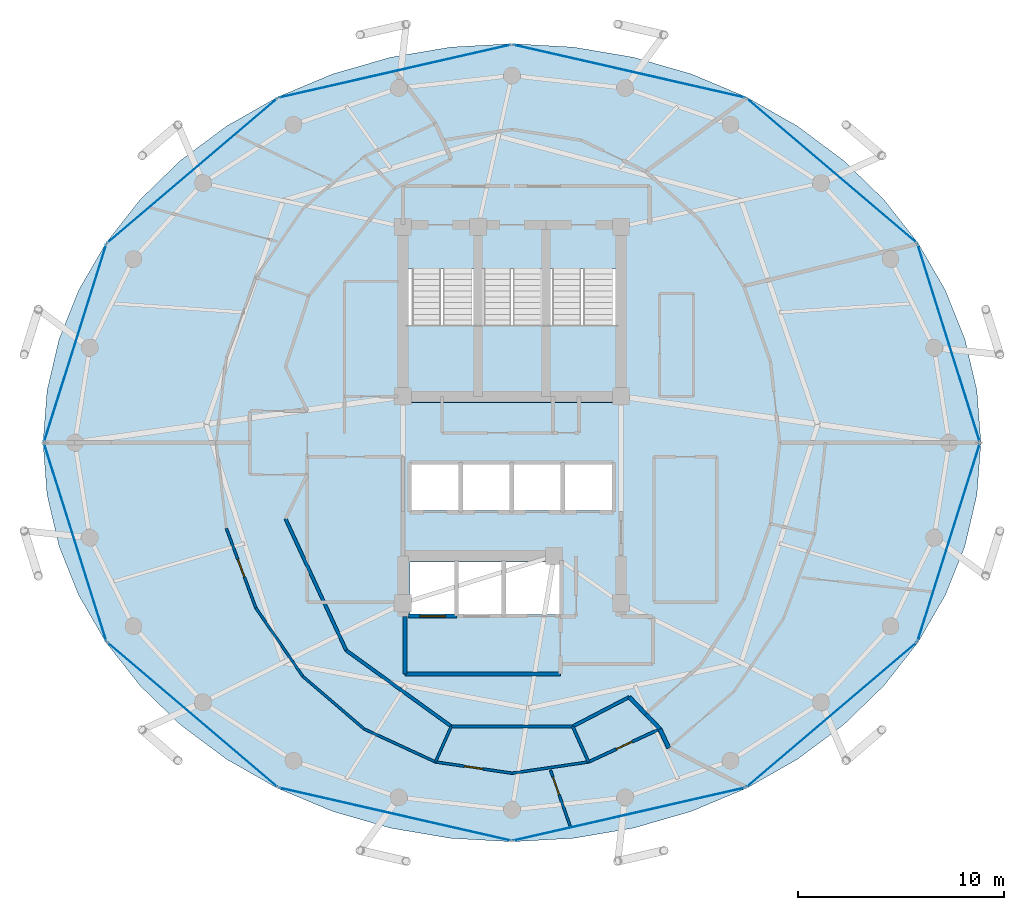
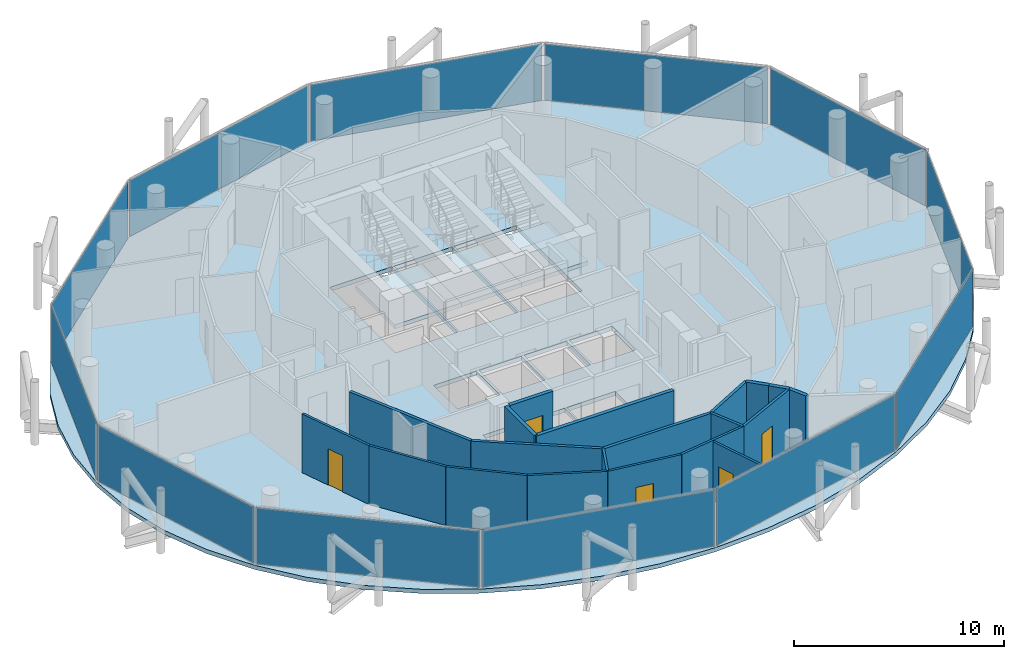
# One storey, part 22 of 28: 20 walls, 12 plates, 5 doors, 4 slabs, 5 openings, 15 elements without a shape of their own.
"""IFC4 building model written with IfcOpenShell, lengths in metres."""

from ifc_helpers import new_model, si_unit, direction, frame, frame_2d, origin, origin_2d, place, context, subcontext, project, spatial, polyline, rectangle, outline, extrude, material, layer, layer_set, type_object, element, fill, aggregate, save


model = new_model("IFC4")

# Units and contexts
model_context = context("Model", 3, precision=1e-05, world=origin(), true_north=direction((0.0, 1.0)))
body_context = subcontext(model_context, "Body", "Model", "MODEL_VIEW")
ifc_project = project(units=[si_unit("LENGTHUNIT", "METRE"), si_unit("AREAUNIT", "SQUARE_METRE"), si_unit("VOLUMEUNIT", "CUBIC_METRE"), si_unit("PLANEANGLEUNIT", "RADIAN"), si_unit("MASSUNIT", "GRAM", prefix="KILO")], contexts=[model_context])

# Site, building, storey
site_placement = place(None, origin())
site = spatial("IfcSite", under=ifc_project, at=site_placement, CompositionType="ELEMENT")
building_placement = place(site_placement, origin())
building = spatial("IfcBuilding", under=site, at=building_placement, Name="Nuhasar Tower", CompositionType="ELEMENT")
storey_placement = place(building_placement, frame((0.0, 0.0, 222.75)))
storey = spatial("IfcBuildingStorey", under=building, at=storey_placement, Name="L54", CompositionType="ELEMENT", Elevation=222.75)

# Curtain wall, plate
ifc_material_1 = material(Name="Aluminium 6063-T6", Category="aluminium")
ifc_layer_1 = layer(ifc_material_1, 0.18994140625)
ifc_layer_set_1 = layer_set([ifc_layer_1], Name="Aluminium 6063-T6")
curtain_wall_type = type_object("IfcCurtainWallType", Name="CW-Z3-RES", PredefinedType="NOTDEFINED", material=ifc_layer_set_1)
curtain_wall_1_placement = place(storey_placement, origin())
curtain_wall_1 = element("IfcCurtainWall", 1, at=curtain_wall_1_placement, inside=storey, type_object=curtain_wall_type, Name="L54 Unitised Curtain Wall 01", PredefinedType="NOTDEFINED")
ifc_material_2 = material(Name="Glass Double Low-E", Category="glass")
ifc_layer_2 = layer(ifc_material_2, 0.028076171875)
ifc_layer_set_2 = layer_set([ifc_layer_2], Name="Glass Double Low-E")
plate_type = type_object("IfcPlateType", Name="CW-PANEL-GLZ", PredefinedType="CURTAIN_PANEL", material=ifc_layer_set_2)
plate_1_placement = place(storey_placement, frame((60.235595703125, 31.639892578125, 0.06494140625), z_axis=(0.0, 0.0, 1.0), x_axis=(-0.30042864553, 0.95380429279, 0.0)))
plate_1 = element("IfcPlate", 2, at=plate_1_placement, type_object=plate_type, Name="CW-Z3 panel 1.1", PredefinedType="CURTAIN_PANEL", context=body_context, shape_type="SweptSolid", body=[
    extrude(rectangle(XDim=10.018798828125, YDim=0.028076171875, at=origin_2d()), origin(), (0.0, 0.0, 1.0), 3.280029296875),
])
aggregate(curtain_wall_1, [plate_1])

curtain_wall_2_placement = place(storey_placement, origin())
curtain_wall_2 = element("IfcCurtainWall", 3, at=curtain_wall_2_placement, inside=storey, type_object=curtain_wall_type, Name="L54 Unitised Curtain Wall 02", PredefinedType="NOTDEFINED")
plate_2_placement = place(storey_placement, frame((54.54541015625, 40.02294921875, 0.06494140625), z_axis=(0.0, 0.0, 1.0), x_axis=(-0.761729472562, 0.64789521578, 0.0)))
plate_2 = element("IfcPlate", 4, at=plate_2_placement, type_object=plate_type, Name="CW-Z3 panel 1.1", PredefinedType="CURTAIN_PANEL", context=body_context, shape_type="SweptSolid", body=[
    extrude(rectangle(XDim=10.806884765625, YDim=0.028076171875, at=origin_2d()), origin(), (0.0, 0.0, 1.0), 3.280029296875),
])
aggregate(curtain_wall_2, [plate_2])

curtain_wall_3_placement = place(storey_placement, origin())
curtain_wall_3 = element("IfcCurtainWall", 5, at=curtain_wall_3_placement, inside=storey, type_object=curtain_wall_type, Name="L54 Unitised Curtain Wall 03", PredefinedType="NOTDEFINED")
plate_3_placement = place(storey_placement, frame((44.68994140625, 44.863037109375, 0.06494140625), z_axis=(0.0, 0.0, 1.0), x_axis=(-0.974991266926, 0.222243176313, 0.0)))
plate_3 = element("IfcPlate", 6, at=plate_3_placement, type_object=plate_type, Name="CW-Z3 panel 1.1", PredefinedType="CURTAIN_PANEL", context=body_context, shape_type="SweptSolid", body=[
    extrude(rectangle(XDim=11.5419921875, YDim=0.028076171875, at=origin_2d()), origin(), (0.0, 0.0, 1.0), 3.280029296875),
])
aggregate(curtain_wall_3, [plate_3])

curtain_wall_4_placement = place(storey_placement, origin())
curtain_wall_4 = element("IfcCurtainWall", 7, at=curtain_wall_4_placement, inside=storey, type_object=curtain_wall_type, Name="L54 Unitised Curtain Wall 04", PredefinedType="NOTDEFINED")
plate_4_placement = place(storey_placement, frame((33.31005859375, 44.863037109375, 0.06494140625), z_axis=(0.0, 0.0, 1.0), x_axis=(-0.974991266926, -0.222243176313, 0.0)))
plate_4 = element("IfcPlate", 8, at=plate_4_placement, type_object=plate_type, Name="CW-Z3 panel 1.1", PredefinedType="CURTAIN_PANEL", context=body_context, shape_type="SweptSolid", body=[
    extrude(rectangle(XDim=11.5419921875, YDim=0.028076171875, at=origin_2d()), origin(), (0.0, 0.0, 1.0), 3.280029296875),
])
aggregate(curtain_wall_4, [plate_4])

curtain_wall_5_placement = place(storey_placement, origin())
curtain_wall_5 = element("IfcCurtainWall", 9, at=curtain_wall_5_placement, inside=storey, type_object=curtain_wall_type, Name="L54 Unitised Curtain Wall 05", PredefinedType="NOTDEFINED")
plate_5_placement = place(storey_placement, frame((23.45458984375, 40.02294921875, 0.06494140625), z_axis=(0.0, 0.0, 1.0), x_axis=(-0.761729472562, -0.64789521578, 0.0)))
plate_5 = element("IfcPlate", 10, at=plate_5_placement, type_object=plate_type, Name="CW-Z3 panel 1.1", PredefinedType="CURTAIN_PANEL", context=body_context, shape_type="SweptSolid", body=[
    extrude(rectangle(XDim=10.806884765625, YDim=0.028076171875, at=origin_2d()), origin(), (0.0, 0.0, 1.0), 3.280029296875),
])
aggregate(curtain_wall_5, [plate_5])

curtain_wall_6_placement = place(storey_placement, origin())
curtain_wall_6 = element("IfcCurtainWall", 11, at=curtain_wall_6_placement, inside=storey, type_object=curtain_wall_type, Name="L54 Unitised Curtain Wall 06", PredefinedType="NOTDEFINED")
plate_6_placement = place(storey_placement, frame((17.764404296875, 31.639892578125, 0.06494140625), z_axis=(0.0, 0.0, 1.0), x_axis=(-0.30042864553, -0.95380429279, 0.0)))
plate_6 = element("IfcPlate", 12, at=plate_6_placement, type_object=plate_type, Name="CW-Z3 panel 1.1", PredefinedType="CURTAIN_PANEL", context=body_context, shape_type="SweptSolid", body=[
    extrude(rectangle(XDim=10.018798828125, YDim=0.028076171875, at=origin_2d()), origin(), (0.0, 0.0, 1.0), 3.280029296875),
])
aggregate(curtain_wall_6, [plate_6])

curtain_wall_7_placement = place(storey_placement, origin())
curtain_wall_7 = element("IfcCurtainWall", 13, at=curtain_wall_7_placement, inside=storey, type_object=curtain_wall_type, Name="L54 Unitised Curtain Wall 07", PredefinedType="NOTDEFINED")
plate_7_placement = place(storey_placement, frame((17.764404296875, 21.9599609375, 0.06494140625), z_axis=(0.0, 0.0, 1.0), x_axis=(0.30042864553, -0.95380429279, 0.0)))
plate_7 = element("IfcPlate", 14, at=plate_7_placement, type_object=plate_type, Name="CW-Z3 panel 1.1", PredefinedType="CURTAIN_PANEL", context=body_context, shape_type="SweptSolid", body=[
    extrude(rectangle(XDim=10.018798828125, YDim=0.028076171875, at=origin_2d()), origin(), (0.0, 0.0, 1.0), 3.280029296875),
])
aggregate(curtain_wall_7, [plate_7])

curtain_wall_8_placement = place(storey_placement, origin())
curtain_wall_8 = element("IfcCurtainWall", 15, at=curtain_wall_8_placement, inside=storey, type_object=curtain_wall_type, Name="L54 Unitised Curtain Wall 08", PredefinedType="NOTDEFINED")
plate_8_placement = place(storey_placement, frame((23.45458984375, 13.576904296875, 0.06494140625), z_axis=(0.0, 0.0, 1.0), x_axis=(0.761729472562, -0.64789521578, 0.0)))
plate_8 = element("IfcPlate", 16, at=plate_8_placement, type_object=plate_type, Name="CW-Z3 panel 1.1", PredefinedType="CURTAIN_PANEL", context=body_context, shape_type="SweptSolid", body=[
    extrude(rectangle(XDim=10.806884765625, YDim=0.028076171875, at=origin_2d()), origin(), (0.0, 0.0, 1.0), 3.280029296875),
])
aggregate(curtain_wall_8, [plate_8])

curtain_wall_9_placement = place(storey_placement, origin())
curtain_wall_9 = element("IfcCurtainWall", 17, at=curtain_wall_9_placement, inside=storey, type_object=curtain_wall_type, Name="L54 Unitised Curtain Wall 09", PredefinedType="NOTDEFINED")
plate_9_placement = place(storey_placement, frame((33.31005859375, 8.737060546875, 0.06494140625), z_axis=(0.0, 0.0, 1.0), x_axis=(0.974991266926, -0.222243176313, 0.0)))
plate_9 = element("IfcPlate", 18, at=plate_9_placement, type_object=plate_type, Name="CW-Z3 panel 1.1", PredefinedType="CURTAIN_PANEL", context=body_context, shape_type="SweptSolid", body=[
    extrude(rectangle(XDim=11.5419921875, YDim=0.028076171875, at=origin_2d()), origin(), (0.0, 0.0, 1.0), 3.280029296875),
])
aggregate(curtain_wall_9, [plate_9])

curtain_wall_10_placement = place(storey_placement, origin())
curtain_wall_10 = element("IfcCurtainWall", 19, at=curtain_wall_10_placement, inside=storey, type_object=curtain_wall_type, Name="L54 Unitised Curtain Wall 10", PredefinedType="NOTDEFINED")
plate_10_placement = place(storey_placement, frame((44.68994140625, 8.737060546875, 0.06494140625), z_axis=(0.0, 0.0, 1.0), x_axis=(0.974991266926, 0.222243176313, 0.0)))
plate_10 = element("IfcPlate", 20, at=plate_10_placement, type_object=plate_type, Name="CW-Z3 panel 1.1", PredefinedType="CURTAIN_PANEL", context=body_context, shape_type="SweptSolid", body=[
    extrude(rectangle(XDim=11.5419921875, YDim=0.028076171875, at=origin_2d()), origin(), (0.0, 0.0, 1.0), 3.280029296875),
])
aggregate(curtain_wall_10, [plate_10])

curtain_wall_11_placement = place(storey_placement, origin())
curtain_wall_11 = element("IfcCurtainWall", 21, at=curtain_wall_11_placement, inside=storey, type_object=curtain_wall_type, Name="L54 Unitised Curtain Wall 11", PredefinedType="NOTDEFINED")
plate_11_placement = place(storey_placement, frame((54.54541015625, 13.576904296875, 0.06494140625), z_axis=(0.0, 0.0, 1.0), x_axis=(0.761729472562, 0.64789521578, 0.0)))
plate_11 = element("IfcPlate", 22, at=plate_11_placement, type_object=plate_type, Name="CW-Z3 panel 1.1", PredefinedType="CURTAIN_PANEL", context=body_context, shape_type="SweptSolid", body=[
    extrude(rectangle(XDim=10.806884765625, YDim=0.028076171875, at=origin_2d()), origin(), (0.0, 0.0, 1.0), 3.280029296875),
])
aggregate(curtain_wall_11, [plate_11])

curtain_wall_12_placement = place(storey_placement, origin())
curtain_wall_12 = element("IfcCurtainWall", 23, at=curtain_wall_12_placement, inside=storey, type_object=curtain_wall_type, Name="L54 Unitised Curtain Wall 12", PredefinedType="NOTDEFINED")
plate_12_placement = place(storey_placement, frame((60.235595703125, 21.9599609375, 0.06494140625), z_axis=(0.0, 0.0, 1.0), x_axis=(0.30042864553, 0.95380429279, 0.0)))
plate_12 = element("IfcPlate", 24, at=plate_12_placement, type_object=plate_type, Name="CW-Z3 panel 1.1", PredefinedType="CURTAIN_PANEL", context=body_context, shape_type="SweptSolid", body=[
    extrude(rectangle(XDim=10.018798828125, YDim=0.028076171875, at=origin_2d()), origin(), (0.0, 0.0, 1.0), 3.280029296875),
])
aggregate(curtain_wall_12, [plate_12])

# Stair, slab
ifc_material_3 = material(Name="Concrete C45/55", Category="concrete")
stair_type_1 = type_object("IfcStairType", Name="STR-ST-01-2F-22R-1659", PredefinedType="HALF_TURN_STAIR", material=ifc_material_3)
stair_1_placement = place(storey_placement, origin())
stair_1 = element("IfcStair", 25, at=stair_1_placement, inside=storey, type_object=stair_type_1, Name="L54 Exit Stair ST-01", PredefinedType="HALF_TURN_STAIR")
ifc_layer_3 = layer(ifc_material_3, 0.239990234375)
ifc_layer_set_3 = layer_set([ifc_layer_3], Name="Concrete C45/55")
slab_type_1 = type_object("IfcSlabType", Name="SLB-STAIR-LND-240", PredefinedType="LANDING", material=ifc_layer_set_3)
slab_1_placement = place(storey_placement, frame((0.0, 0.0, 1.5849609375)))
slab_1 = element("IfcSlab", 26, at=slab_1_placement, type_object=slab_type_1, Name="ST-01 landing 1", PredefinedType="LANDING", context=body_context, shape_type="SweptSolid", body=[
    extrude(outline(polyline([(33.699951171875, 28.75), (37.35009765625, 28.75), (37.35009765625, 32.52001953125), (33.699951171875, 32.52001953125), (33.699951171875, 28.75)])), origin(), (0.0, 0.0, 1.0), 0.239990234375),
])
aggregate(stair_1, [slab_1])

stair_type_2 = type_object("IfcStairType", Name="STR-ST-03-2F-22R-1659", PredefinedType="HALF_TURN_STAIR", material=ifc_material_3)
stair_2_placement = place(storey_placement, origin())
stair_2 = element("IfcStair", 27, at=stair_2_placement, inside=storey, type_object=stair_type_2, Name="L54 Exit Stair ST-03", PredefinedType="HALF_TURN_STAIR")
slab_2_placement = place(storey_placement, frame((0.0, 0.0, 1.5849609375)))
slab_2 = element("IfcSlab", 28, at=slab_2_placement, type_object=slab_type_1, Name="ST-03 landing 1", PredefinedType="LANDING", context=body_context, shape_type="SweptSolid", body=[
    extrude(outline(polyline([(37.35009765625, 28.75), (40.64990234375, 28.75), (40.64990234375, 32.52001953125), (37.35009765625, 32.52001953125), (37.35009765625, 28.75)])), origin(), (0.0, 0.0, 1.0), 0.239990234375),
])
aggregate(stair_2, [slab_2])

stair_type_3 = type_object("IfcStairType", Name="STR-ST-02-2F-22R-1659", PredefinedType="HALF_TURN_STAIR", material=ifc_material_3)
stair_3_placement = place(storey_placement, origin())
stair_3 = element("IfcStair", 29, at=stair_3_placement, inside=storey, type_object=stair_type_3, Name="L54 Exit Stair ST-02", PredefinedType="HALF_TURN_STAIR")
slab_3_placement = place(storey_placement, frame((0.0, 0.0, 1.5849609375)))
slab_3 = element("IfcSlab", 30, at=slab_3_placement, type_object=slab_type_1, Name="ST-02 landing 1", PredefinedType="LANDING", context=body_context, shape_type="SweptSolid", body=[
    extrude(outline(polyline([(40.64990234375, 28.75), (44.300048828125, 28.75), (44.300048828125, 32.52001953125), (40.64990234375, 32.52001953125), (40.64990234375, 28.75)])), origin(), (0.0, 0.0, 1.0), 0.239990234375),
])
aggregate(stair_3, [slab_3])

# Slab
ifc_layer_4 = layer(ifc_material_3, 0.239990234375)
ifc_layer_set_4 = layer_set([ifc_layer_4], Name="Concrete C45/55")
slab_type_2 = type_object("IfcSlabType", Name="SLB-Z3-240", PredefinedType="FLOOR", material=ifc_layer_set_4)
slab_4_placement = place(storey_placement, frame((0.0, 0.0, -0.239990234375)))
element("IfcSlab", 31, at=slab_4_placement, inside=storey, type_object=slab_type_2, Name="L54 Structural Slab", PredefinedType="FLOOR", context=body_context, shape_type="SweptSolid", body=[
    extrude(outline(polyline([(61.800048828125, 26.800048828125), (61.60498046875, 29.33203125), (61.02294921875, 31.821044921875), (60.06396484375, 34.22412109375), (58.7451171875, 36.5), (57.087890625, 38.610107421875), (55.1220703125, 40.51806640625), (52.8798828125, 42.19091796875), (50.39990234375, 43.60107421875), (47.72509765625, 44.722900390625), (44.90087890625, 45.5390625), (41.97607421875, 46.033935546875), (39.0, 46.199951171875), (36.02392578125, 46.033935546875), (33.09912109375, 45.5390625), (30.27490234375, 44.722900390625), (27.60009765625, 43.60107421875), (25.1201171875, 42.19091796875), (22.8779296875, 40.51806640625), (20.912109375, 38.610107421875), (19.2548828125, 36.5), (17.93603515625, 34.22412109375), (16.97705078125, 31.821044921875), (16.39501953125, 29.33203125), (16.199951171875, 26.800048828125), (16.39501953125, 24.26806640625), (16.97705078125, 21.779052734375), (17.93603515625, 19.3759765625), (19.2548828125, 17.10009765625), (20.912109375, 14.989990234375), (22.8779296875, 13.08203125), (25.1201171875, 11.408935546875), (27.60009765625, 9.9990234375), (30.27490234375, 8.876953125), (33.09912109375, 8.06103515625), (36.02392578125, 7.56591796875), (39.0, 7.39990234375), (41.97607421875, 7.56591796875), (44.90087890625, 8.06103515625), (47.72509765625, 8.876953125), (50.39990234375, 9.9990234375), (52.8798828125, 11.408935546875), (55.1220703125, 13.08203125), (57.087890625, 14.989990234375), (58.7451171875, 17.10009765625), (60.06396484375, 19.3759765625), (61.02294921875, 21.779052734375), (61.60498046875, 24.26806640625), (61.800048828125, 26.800048828125)]), holes=[polyline([(33.8798828125, 35.25), (37.300048828125, 35.25), (37.300048828125, 29.0), (33.8798828125, 29.0), (33.8798828125, 35.25)]), polyline([(37.39990234375, 35.25), (40.60009765625, 35.25), (40.60009765625, 29.0), (37.39990234375, 29.0), (37.39990234375, 35.25)]), polyline([(40.699951171875, 35.25), (44.1201171875, 35.25), (44.1201171875, 29.0), (40.699951171875, 29.0), (40.699951171875, 35.25)]), polyline([(34.10009765625, 25.75), (36.43994140625, 25.75), (36.43994140625, 23.5), (34.10009765625, 23.5), (34.10009765625, 25.75)]), polyline([(36.580078125, 25.75), (38.919921875, 25.75), (38.919921875, 23.5), (36.580078125, 23.5), (36.580078125, 25.75)]), polyline([(39.06005859375, 25.75), (41.39990234375, 25.75), (41.39990234375, 23.5), (39.06005859375, 23.5), (39.06005859375, 25.75)]), polyline([(41.5400390625, 25.75), (43.8798828125, 25.75), (43.8798828125, 23.5), (41.5400390625, 23.5), (41.5400390625, 25.75)]), polyline([(34.050048828125, 21.0), (36.25, 21.0), (36.25, 18.449951171875), (34.050048828125, 18.449951171875), (34.050048828125, 21.0)]), polyline([(36.35009765625, 21.0), (38.550048828125, 21.0), (38.550048828125, 18.449951171875), (36.35009765625, 18.449951171875), (36.35009765625, 21.0)]), polyline([(38.64990234375, 21.0), (41.320068359375, 21.0), (41.320068359375, 18.449951171875), (38.64990234375, 18.449951171875), (38.64990234375, 21.0)])]), origin(), (0.0, 0.0, 1.0), 0.239990234375),
])

# Walls
ifc_material_4 = material(Name="Gypsum Board", Category="gypsum")
ifc_layer_5 = layer(ifc_material_4, 0.159912109375)
ifc_layer_set_5 = layer_set([ifc_layer_5], Name="Gypsum Board")
wall_type_1 = type_object("IfcWallType", Name="WL-CORR-160", PredefinedType="PARTITIONING", material=ifc_layer_set_5)
wall_1_placement = place(storey_placement, frame((27.988037109375, 23.10400390625, 0.0), z_axis=(0.0, 0.0, 1.0), x_axis=(0.418656179426, -0.908144814128, 0.0)))
element("IfcWall", 32, at=wall_1_placement, inside=storey, type_object=wall_type_1, Name="L54 Interior Partition UWEST-CORE-S1-26", PredefinedType="PARTITIONING", context=body_context, shape_type="SweptSolid", body=[
    extrude(rectangle(XDim=7.048583984375, YDim=0.159912109375, at=frame_2d((3.5244140625, 0.0))), origin(), (0.0, 0.0, 1.0), 3.409912109375),
])
wall_2_placement = place(storey_placement, frame((30.93896484375, 16.702880859375, 0.0), z_axis=(0.0, 0.0, 1.0), x_axis=(0.810290119061, -0.586028943784, 0.0)))
element("IfcWall", 33, at=wall_2_placement, inside=storey, type_object=wall_type_1, Name="L54 Interior Partition UWEST-CORE-S1-30", PredefinedType="PARTITIONING", context=body_context, shape_type="SweptSolid", body=[
    extrude(rectangle(XDim=6.306396484375, YDim=0.159912109375, at=frame_2d((3.1533203125, 0.0))), origin(), (0.0, 0.0, 1.0), 3.409912109375),
])
wall_3_placement = place(storey_placement, frame((36.049072265625, 13.007080078125, 0.0), z_axis=(0.0, 0.0, 1.0), x_axis=(1.0, 0.0, 0.0)))
element("IfcWall", 34, at=wall_3_placement, inside=storey, type_object=wall_type_1, Name="L54 Interior Partition UWEST-CORE-S1-34", PredefinedType="PARTITIONING", context=body_context, shape_type="SweptSolid", body=[
    extrude(rectangle(XDim=5.90185546875, YDim=0.159912109375, at=frame_2d((2.950927734375, 0.0))), origin(), (0.0, 0.0, 1.0), 3.409912109375),
])
wall_4_placement = place(storey_placement, frame((41.950927734375, 13.007080078125, 0.0), z_axis=(0.0, 0.0, 1.0), x_axis=(0.887674575788, 0.460471331898, 0.0)))
element("IfcWall", 35, at=wall_4_placement, inside=storey, type_object=wall_type_1, Name="L54 Interior Partition UWEST-CORE-S2-38", PredefinedType="PARTITIONING", context=body_context, shape_type="SweptSolid", body=[
    extrude(rectangle(XDim=3.096923828125, YDim=0.159912109375, at=frame_2d((1.54833984375, 0.0))), origin(), (0.0, 0.0, 1.0), 3.409912109375),
])
ifc_layer_6 = layer(ifc_material_3, 0.199951171875)
ifc_layer_set_6 = layer_set([ifc_layer_6], Name="Concrete C45/55")
wall_type_2 = type_object("IfcWallType", Name="WL-LOBBY-200", PredefinedType="SOLIDWALL", material=ifc_layer_set_6)
wall_5_placement = place(storey_placement, frame((33.800048828125, 15.550048828125, 0.0), z_axis=(0.0, 0.0, 1.0), x_axis=(1.0, 0.0, 0.0)))
element("IfcWall", 36, at=wall_5_placement, inside=storey, type_object=wall_type_2, Name="L54 Interior Partition FFL-S", PredefinedType="SOLIDWALL", context=body_context, shape_type="SweptSolid", body=[
    extrude(rectangle(XDim=7.550048828125, YDim=0.199951171875, at=frame_2d((3.77490234375, 0.0))), origin(), (0.0, 0.0, 1.0), 3.409912109375),
])
wall_6_placement = place(storey_placement, frame((33.800048828125, 15.550048828125, 0.0), z_axis=(0.0, 0.0, 1.0), x_axis=(0.0, 1.0, 0.0)))
element("IfcWall", 37, at=wall_6_placement, inside=storey, type_object=wall_type_2, Name="L54 Interior Partition FFL-W", PredefinedType="SOLIDWALL", context=body_context, shape_type="SweptSolid", body=[
    extrude(rectangle(XDim=2.800048828125, YDim=0.199951171875, at=frame_2d((1.39990234375, 0.0))), origin(), (0.0, 0.0, 1.0), 3.409912109375),
])

# Wall, opening, door
ifc_layer_7 = layer(ifc_material_4, 0.125)
ifc_layer_set_7 = layer_set([ifc_layer_7], Name="Gypsum Board")
wall_type_3 = type_object("IfcWallType", Name="WL-PART-125", PredefinedType="PARTITIONING", material=ifc_layer_set_7)
wall_7_placement = place(storey_placement, frame((39.0, 10.72998046875, 0.0), z_axis=(0.0, 0.0, 1.0), x_axis=(-0.989330267414, 0.145690157451, 0.0)))
wall_7 = element("IfcWall", 38, at=wall_7_placement, inside=storey, type_object=wall_type_3, Name="L54 Interior Partition USM-2-K-34", PredefinedType="PARTITIONING", context=body_context, shape_type="SweptSolid", body=[
    extrude(rectangle(XDim=3.761962890625, YDim=0.125, at=frame_2d((1.880859375, 0.0))), origin(), (0.0, 0.0, 1.0), 3.409912109375),
])
opening_1_placement = place(wall_7_placement, frame((1.430908203125, 0.0, 0.0)))
opening_1 = element("IfcOpeningElement", 39, at=opening_1_placement, cuts=wall_7, Name="Opening DR-01", PredefinedType="OPENING", context=body_context, shape_type="SweptSolid", body=[
    extrude(rectangle(XDim=0.89990234375, YDim=2.10009765625, at=frame_2d((0.449951171875, 1.050048828125))), frame((0.0, 0.072509765625, 0.0), z_axis=(0.0, -1.0, 0.0), x_axis=(1.0, 0.0, 0.0)), (0.0, 0.0, 1.0), 0.14501953125),
])
ifc_material_5 = material(Name="Timber Oak", Category="wood")
door_type_1 = type_object("IfcDoorType", Name="DR-ROOM-900", OperationType="NOTDEFINED", PredefinedType="DOOR", material=ifc_material_5)
door_1_placement = place(opening_1_placement, origin())
door_1 = element("IfcDoor", 40, at=door_1_placement, inside=storey, type_object=door_type_1, Name="L54 South-West Sky Home Kitchen Door", OperationType="SINGLE_SWING_LEFT", OverallHeight=2.10009765625, OverallWidth=0.89990234375, PredefinedType="DOOR", context=body_context, shape_type="SweptSolid", body=[
    extrude(rectangle(XDim=0.89990234375, YDim=2.10009765625, at=frame_2d((0.449951171875, 1.050048828125))), frame((0.0, 0.02490234375, 0.0), z_axis=(0.0, -1.0, 0.0), x_axis=(1.0, 0.0, 0.0)), (0.0, 0.0, 1.0), 0.050048828125),
])
fill(opening_1, door_1)

# Walls
wall_8_placement = place(storey_placement, frame((39.0, 10.72998046875, 0.0), z_axis=(0.0, 0.0, 1.0), x_axis=(0.989330267414, 0.145690157451, 0.0)))
element("IfcWall", 41, at=wall_8_placement, inside=storey, type_object=wall_type_3, Name="L54 Interior Partition USM-2-K-36", PredefinedType="PARTITIONING", context=body_context, shape_type="SweptSolid", body=[
    extrude(rectangle(XDim=3.761962890625, YDim=0.125, at=frame_2d((1.880859375, 0.0))), origin(), (0.0, 0.0, 1.0), 3.409912109375),
])
wall_9_placement = place(storey_placement, frame((36.049072265625, 13.007080078125, 0.0), z_axis=(0.0, 0.0, 1.0), x_axis=(-0.407262922325, -0.913310961338, 0.0)))
element("IfcWall", 42, at=wall_9_placement, inside=storey, type_object=wall_type_3, Name="L54 Interior Partition USI-2-DK", PredefinedType="PARTITIONING", context=body_context, shape_type="SweptSolid", body=[
    extrude(rectangle(XDim=1.89306640625, YDim=0.125, at=frame_2d((0.946533203125, 0.0))), origin(), (0.0, 0.0, 1.0), 3.409912109375),
])

# Wall, opening, door
wall_10_placement = place(storey_placement, frame((26.547119140625, 18.764892578125, 0.0), z_axis=(0.0, 0.0, 1.0), x_axis=(-0.347606700796, 0.937640432982, 0.0)))
wall_10 = element("IfcWall", 43, at=wall_10_placement, inside=storey, type_object=wall_type_3, Name="L54 Interior Partition USM-2-D-26", PredefinedType="PARTITIONING", context=body_context, shape_type="SweptSolid", body=[
    extrude(rectangle(XDim=4.134033203125, YDim=0.125, at=frame_2d((2.06689453125, 0.0))), origin(), (0.0, 0.0, 1.0), 3.409912109375),
])
opening_2_placement = place(wall_10_placement, frame((1.616943359375, 0.0, 0.0)))
opening_2 = element("IfcOpeningElement", 44, at=opening_2_placement, cuts=wall_10, Name="Opening DR-01", PredefinedType="OPENING", context=body_context, shape_type="SweptSolid", body=[
    extrude(rectangle(XDim=0.89990234375, YDim=2.10009765625, at=frame_2d((0.449951171875, 1.050048828125))), frame((0.0, 0.072509765625, 0.0), z_axis=(0.0, -1.0, 0.0), x_axis=(1.0, 0.0, 0.0)), (0.0, 0.0, 1.0), 0.14501953125),
])
door_2_placement = place(opening_2_placement, origin())
door_2 = element("IfcDoor", 45, at=door_2_placement, inside=storey, type_object=door_type_1, Name="L54 South-West Sky Home Living Door", OperationType="SINGLE_SWING_LEFT", OverallHeight=2.10009765625, OverallWidth=0.89990234375, PredefinedType="DOOR", context=body_context, shape_type="SweptSolid", body=[
    extrude(rectangle(XDim=0.89990234375, YDim=2.10009765625, at=frame_2d((0.449951171875, 1.050048828125))), frame((0.0, 0.02490234375, 0.0), z_axis=(0.0, -1.0, 0.0), x_axis=(1.0, 0.0, 0.0)), (0.0, 0.0, 1.0), 0.050048828125),
])
fill(opening_2, door_2)

# Walls
wall_11_placement = place(storey_placement, frame((26.547119140625, 18.764892578125, 0.0), z_axis=(0.0, 0.0, 1.0), x_axis=(0.566023066777, -0.824389403059, 0.0)))
element("IfcWall", 46, at=wall_11_placement, inside=storey, type_object=wall_type_3, Name="L54 Interior Partition USM-2-D-28", PredefinedType="PARTITIONING", context=body_context, shape_type="SweptSolid", body=[
    extrude(rectangle(XDim=4.036865234375, YDim=0.125, at=frame_2d((2.0185546875, 0.0))), origin(), (0.0, 0.0, 1.0), 3.409912109375),
])
wall_12_placement = place(storey_placement, frame((28.83203125, 15.43701171875, 0.0), z_axis=(0.0, 0.0, 1.0), x_axis=(0.759085259689, -0.650991220004, 0.0)))
element("IfcWall", 47, at=wall_12_placement, inside=storey, type_object=wall_type_3, Name="L54 Interior Partition USM-2-D-30", PredefinedType="PARTITIONING", context=body_context, shape_type="SweptSolid", body=[
    extrude(rectangle(XDim=3.923095703125, YDim=0.125, at=frame_2d((1.96142578125, 0.0))), origin(), (0.0, 0.0, 1.0), 3.409912109375),
])
wall_13_placement = place(storey_placement, frame((31.81005859375, 12.883056640625, 0.0), z_axis=(0.0, 0.0, 1.0), x_axis=(0.907525084777, -0.419997881543, 0.0)))
element("IfcWall", 48, at=wall_13_placement, inside=storey, type_object=wall_type_3, Name="L54 Interior Partition USM-2-D-32", PredefinedType="PARTITIONING", context=body_context, shape_type="SweptSolid", body=[
    extrude(rectangle(XDim=3.8212890625, YDim=0.125, at=frame_2d((1.91064453125, 0.0))), origin(), (0.0, 0.0, 1.0), 3.409912109375),
])

# Wall, opening, door
wall_14_placement = place(storey_placement, frame((40.876953125, 10.866943359375, 0.0), z_axis=(0.0, 0.0, 1.0), x_axis=(0.331393126799, -0.943492763889, 0.0)))
wall_14 = element("IfcWall", 49, at=wall_14_placement, inside=storey, type_object=wall_type_3, Name="L54 Interior Partition USO-2-BD", PredefinedType="PARTITIONING", context=body_context, shape_type="SweptSolid", body=[
    extrude(rectangle(XDim=2.9091796875, YDim=0.125, at=frame_2d((1.45458984375, 0.0))), origin(), (0.0, 0.0, 1.0), 3.409912109375),
])
opening_3_placement = place(wall_14_placement, frame((0.35009765625, 0.0, 0.0)))
opening_3 = element("IfcOpeningElement", 50, at=opening_3_placement, cuts=wall_14, Name="Opening DR-01", PredefinedType="OPENING", context=body_context, shape_type="SweptSolid", body=[
    extrude(rectangle(XDim=0.89990234375, YDim=2.10009765625, at=frame_2d((0.449951171875, 1.050048828125))), frame((0.0, 0.072509765625, 0.0), z_axis=(0.0, -1.0, 0.0), x_axis=(1.0, 0.0, 0.0)), (0.0, 0.0, 1.0), 0.14501953125),
])
door_3_placement = place(opening_3_placement, origin())
door_3 = element("IfcDoor", 51, at=door_3_placement, inside=storey, type_object=door_type_1, Name="L54 South-West Sky Home Master Bedroom Door", OperationType="SINGLE_SWING_LEFT", OverallHeight=2.10009765625, OverallWidth=0.89990234375, PredefinedType="DOOR", context=body_context, shape_type="SweptSolid", body=[
    extrude(rectangle(XDim=0.89990234375, YDim=2.10009765625, at=frame_2d((0.449951171875, 1.050048828125))), frame((0.0, 0.02490234375, 0.0), z_axis=(0.0, -1.0, 0.0), x_axis=(1.0, 0.0, 0.0)), (0.0, 0.0, 1.0), 0.050048828125),
])
fill(opening_3, door_3)

ifc_layer_8 = layer(ifc_material_3, 0.199951171875)
ifc_layer_set_8 = layer_set([ifc_layer_8], Name="Concrete C45/55")
wall_type_4 = type_object("IfcWallType", Name="WL-SHAFT-200", PredefinedType="SOLIDWALL", material=ifc_layer_set_8)
wall_15_placement = place(storey_placement, frame((33.969970703125, 18.3701171875, 0.0), z_axis=(0.0, 0.0, 1.0), x_axis=(1.0, 0.0, 0.0)))
wall_15 = element("IfcWall", 52, at=wall_15_placement, inside=storey, type_object=wall_type_4, Name="L54 Interior Partition SHF-FFL-01-S", PredefinedType="SOLIDWALL", context=body_context, shape_type="SweptSolid", body=[
    extrude(rectangle(XDim=2.360107421875, YDim=0.199951171875, at=frame_2d((1.18017578125, 0.0))), origin(), (0.0, 0.0, 1.0), 3.409912109375),
])
opening_4_placement = place(wall_15_placement, frame((0.554931640625, 0.0, 0.0)))
opening_4 = element("IfcOpeningElement", 53, at=opening_4_placement, cuts=wall_15, Name="Opening LD-F01", PredefinedType="OPENING", context=body_context, shape_type="SweptSolid", body=[
    extrude(rectangle(XDim=1.25, YDim=2.199951171875, at=frame_2d((0.625, 1.10009765625))), frame((0.0, 0.10986328125, 0.0), z_axis=(0.0, -1.0, 0.0), x_axis=(1.0, 0.0, 0.0)), (0.0, 0.0, 1.0), 0.219970703125),
])
ifc_material_6 = material(Name="Stainless Steel 316L", Category="steel")
door_type_2 = type_object("IfcDoorType", Name="LD-FFL-1250", OperationType="DOUBLE_DOOR_SLIDING", PredefinedType="DOOR", material=ifc_material_6)
door_4_placement = place(opening_4_placement, origin())
door_4 = element("IfcDoor", 54, at=door_4_placement, inside=storey, type_object=door_type_2, Name="L54 Lift Landing Door FFL-01", OperationType="DOUBLE_DOOR_SLIDING", OverallHeight=2.199951171875, OverallWidth=1.25, PredefinedType="DOOR", context=body_context, shape_type="SweptSolid", body=[
    extrude(rectangle(XDim=1.25, YDim=2.199951171875, at=frame_2d((0.625, 1.10009765625))), frame((0.0, 0.02490234375, 0.0), z_axis=(0.0, -1.0, 0.0), x_axis=(1.0, 0.0, 0.0)), (0.0, 0.0, 1.0), 0.050048828125),
])
fill(opening_4, door_4)

# Walls
ifc_material_7 = material(Name="Concrete C40/50 precast", Category="concrete")
ifc_layer_9 = layer(ifc_material_7, 0.199951171875)
ifc_layer_set_9 = layer_set([ifc_layer_9], Name="Concrete C40/50 precast")
wall_type_5 = type_object("IfcWallType", Name="WL-UNIT-200", PredefinedType="PARTITIONING", material=ifc_layer_set_9)
wall_16_placement = place(storey_placement, frame((44.699951171875, 14.43310546875, 0.0), z_axis=(0.0, 0.0, 1.0), x_axis=(0.699216408702, -0.714910073926, 0.0)))
element("IfcWall", 55, at=wall_16_placement, inside=storey, type_object=wall_type_5, Name="L54 Interior Partition URAD-40-SW-S1", PredefinedType="PARTITIONING", context=body_context, shape_type="SweptSolid", body=[
    extrude(rectangle(XDim=1.151123046875, YDim=0.199951171875, at=frame_2d((0.57568359375, 0.0))), origin(), (0.0, 0.0, 1.0), 3.409912109375),
])
wall_17_placement = place(storey_placement, frame((45.5048828125, 13.610107421875, 0.0), z_axis=(0.0, 0.0, 1.0), x_axis=(0.685776251655, -0.72781242959, 0.0)))
element("IfcWall", 56, at=wall_17_placement, inside=storey, type_object=wall_type_5, Name="L54 Interior Partition URAD-40-SW-S2", PredefinedType="PARTITIONING", context=body_context, shape_type="SweptSolid", body=[
    extrude(rectangle(XDim=0.9990234375, YDim=0.199951171875, at=frame_2d((0.49951171875, 0.0))), origin(), (0.0, 0.0, 1.0), 3.409912109375),
])
wall_18_placement = place(storey_placement, frame((46.18994140625, 12.883056640625, 0.0), z_axis=(0.0, 0.0, 1.0), x_axis=(0.424335152462, -0.905505206161, 0.0)))
element("IfcWall", 57, at=wall_18_placement, inside=storey, type_object=wall_type_5, Name="L54 Interior Partition URAD-40-SW-S3", PredefinedType="PARTITIONING", context=body_context, shape_type="SweptSolid", body=[
    extrude(rectangle(XDim=1.013671875, YDim=0.199951171875, at=frame_2d((0.5068359375, 0.0))), origin(), (0.0, 0.0, 1.0), 3.409912109375),
])

# Wall, opening, door
ifc_layer_10 = layer(ifc_material_7, 0.139892578125)
ifc_layer_set_10 = layer_set([ifc_layer_10], Name="Concrete C40/50 precast")
wall_type_6 = type_object("IfcWallType", Name="WL-WET-140", PredefinedType="PARTITIONING", material=ifc_layer_set_10)
wall_19_placement = place(storey_placement, frame((46.18994140625, 12.883056640625, 0.0), z_axis=(0.0, 0.0, 1.0), x_axis=(-0.907525084777, -0.419997881543, 0.0)))
wall_19 = element("IfcWall", 58, at=wall_19_placement, inside=storey, type_object=wall_type_6, Name="L54 Interior Partition USM-2-B-38", PredefinedType="PARTITIONING", context=body_context, shape_type="SweptSolid", body=[
    extrude(rectangle(XDim=3.8212890625, YDim=0.139892578125, at=frame_2d((1.91064453125, 0.0))), origin(), (0.0, 0.0, 1.0), 3.409912109375),
])
opening_5_placement = place(wall_19_placement, frame((1.486083984375, 0.0, 0.0)))
opening_5 = element("IfcOpeningElement", 59, at=opening_5_placement, cuts=wall_19, Name="Opening DB-01", PredefinedType="OPENING", context=body_context, shape_type="SweptSolid", body=[
    extrude(rectangle(XDim=0.85009765625, YDim=2.10009765625, at=frame_2d((0.425048828125, 1.050048828125))), frame((0.0, 0.080078125, 0.0), z_axis=(0.0, -1.0, 0.0), x_axis=(1.0, 0.0, 0.0)), (0.0, 0.0, 1.0), 0.159912109375),
])
door_type_3 = type_object("IfcDoorType", Name="DR-BATH-850", OperationType="NOTDEFINED", PredefinedType="DOOR", material=ifc_material_5)
door_5_placement = place(opening_5_placement, origin())
door_5 = element("IfcDoor", 60, at=door_5_placement, inside=storey, type_object=door_type_3, Name="L54 South-West Sky Home En-Suite Door", OperationType="SINGLE_SWING_LEFT", OverallHeight=2.10009765625, OverallWidth=0.85009765625, PredefinedType="DOOR", context=body_context, shape_type="SweptSolid", body=[
    extrude(rectangle(XDim=0.85009765625, YDim=2.10009765625, at=frame_2d((0.425048828125, 1.050048828125))), frame((0.0, 0.02490234375, 0.0), z_axis=(0.0, -1.0, 0.0), x_axis=(1.0, 0.0, 0.0)), (0.0, 0.0, 1.0), 0.050048828125),
])
fill(opening_5, door_5)

# Wall
wall_20_placement = place(storey_placement, frame((41.950927734375, 13.007080078125, 0.0), z_axis=(0.0, 0.0, 1.0), x_axis=(0.407262922325, -0.913310961338, 0.0)))
element("IfcWall", 61, at=wall_20_placement, inside=storey, type_object=wall_type_6, Name="L54 Interior Partition USI-2-KB", PredefinedType="PARTITIONING", context=body_context, shape_type="SweptSolid", body=[
    extrude(rectangle(XDim=1.89306640625, YDim=0.139892578125, at=frame_2d((0.946533203125, 0.0))), origin(), (0.0, 0.0, 1.0), 3.409912109375),
])

save(model, "model.ifc")
